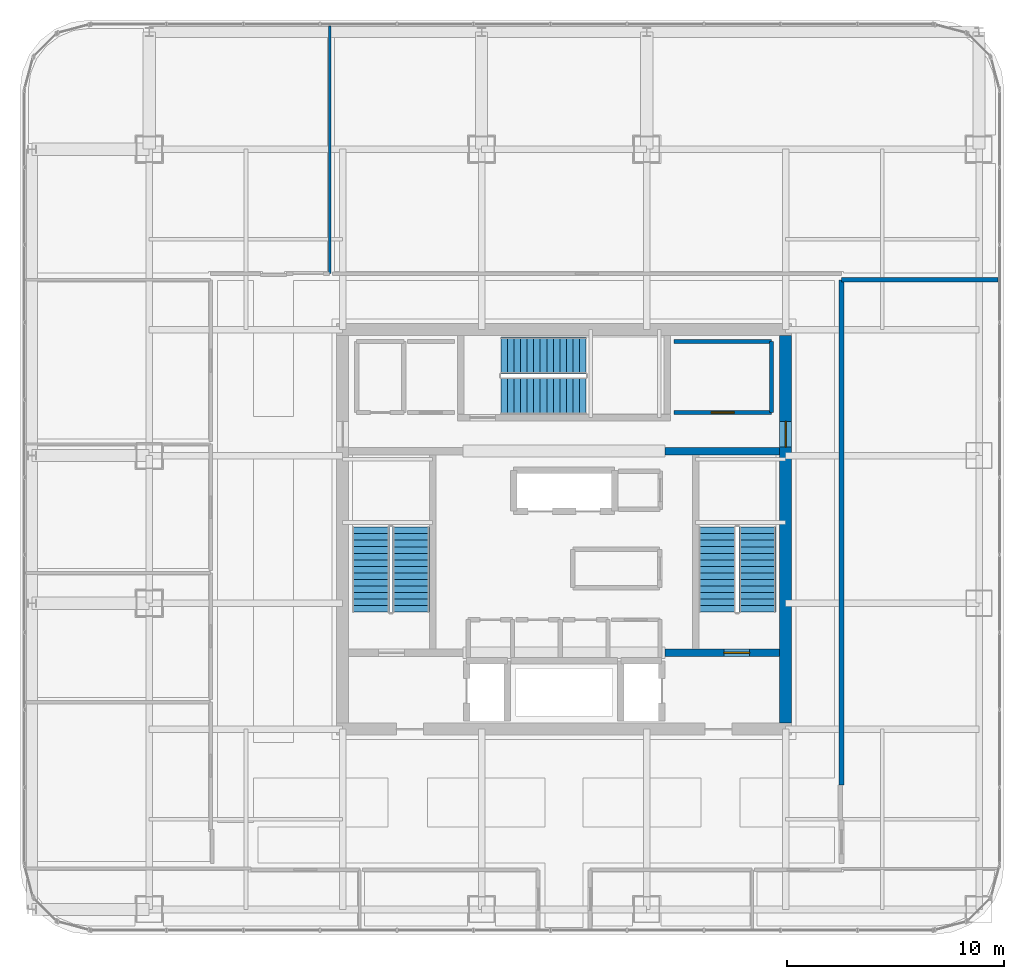
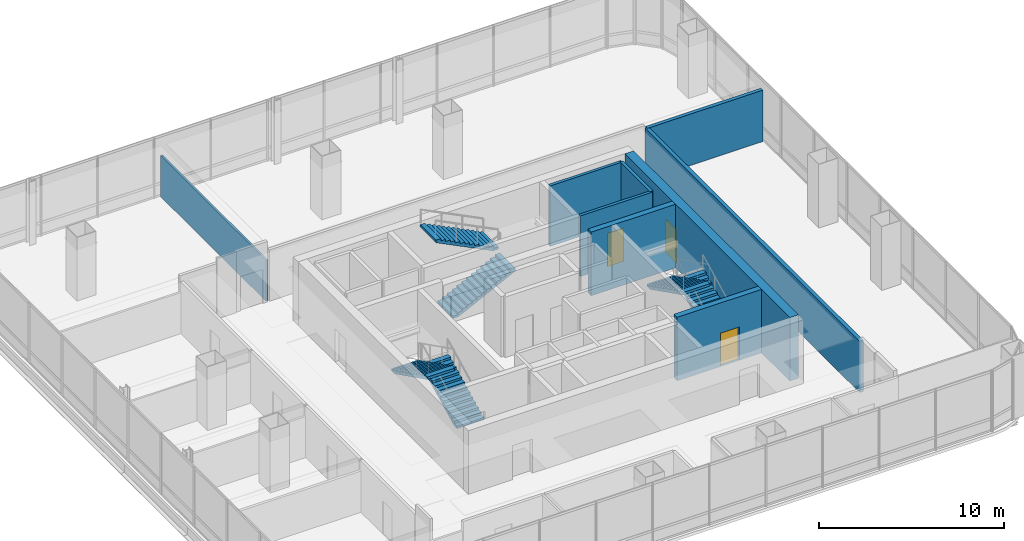
# One storey, part 36 of 42: 9 walls, 6 stair flights, 3 doors, 3 openings, 3 elements without a shape of their own.
"""IFC4 building model written with IfcOpenShell, lengths in metres."""

from ifc_helpers import new_model, si_unit, direction, frame, frame_2d, origin, place, context, subcontext, project, spatial, polyline, rectangle, outline, extrude, material, layer, layer_set, type_object, element, fill, aggregate, save


model = new_model("IFC4")

# Units and contexts
model_context = context("Model", 3, precision=1e-05, world=origin(), true_north=direction((0.0, 1.0)))
body_context = subcontext(model_context, "Body", "Model", "MODEL_VIEW")
ifc_project = project(units=[si_unit("LENGTHUNIT", "METRE"), si_unit("AREAUNIT", "SQUARE_METRE"), si_unit("VOLUMEUNIT", "CUBIC_METRE"), si_unit("PLANEANGLEUNIT", "RADIAN"), si_unit("MASSUNIT", "GRAM", prefix="KILO")], contexts=[model_context])

# Site, building, storey
site_placement = place(None, origin())
site = spatial("IfcSite", under=ifc_project, at=site_placement, CompositionType="ELEMENT")
building_placement = place(site_placement, origin())
building = spatial("IfcBuilding", under=site, at=building_placement, Name="Punatoya Terracotta Tower", CompositionType="ELEMENT")
storey_placement = place(building_placement, frame((0.0, 0.0, 296.39990234375)))
storey = spatial("IfcBuildingStorey", under=building, at=storey_placement, Name="L70", CompositionType="ELEMENT", Elevation=296.39990234375)

# Wall, opening, door
ifc_material_1 = material(Name="Concrete C50/60", Category="concrete")
ifc_layer_1 = layer(ifc_material_1, 0.550048828125)
ifc_layer_set_1 = layer_set([ifc_layer_1], Name="Concrete C50/60")
wall_type_1 = type_object("IfcWallType", Name="WL-COR-550", PredefinedType="SHEAR", material=ifc_layer_set_1)
wall_1_placement = place(storey_placement, frame((10.199951171875, 8.925048828125, 0.0), z_axis=(0.0, 0.0, 1.0), x_axis=(0.0, -1.0, 0.0)))
wall_1 = element("IfcWall", 1, at=wall_1_placement, inside=storey, type_object=wall_type_1, Name="L70 Core Shear Wall E", PredefinedType="SHEAR", context=body_context, shape_type="SweptSolid", body=[
    extrude(rectangle(XDim=17.85009765625, YDim=0.550048828125, at=frame_2d((8.925048828125, 0.0))), origin(), (0.0, 0.0, 1.0), 4.2001953125),
])
opening_1_placement = place(wall_1_placement, frame((3.955078125, 0.0, 0.0)))
opening_1 = element("IfcOpeningElement", 2, at=opening_1_placement, cuts=wall_1, Name="Opening SD-01", PredefinedType="OPENING", context=body_context, shape_type="SweptSolid", body=[
    extrude(rectangle(XDim=1.179931640625, YDim=2.199951171875, at=frame_2d((0.58984375, 1.10009765625))), frame((0.0, 0.284912109375, 0.0), z_axis=(0.0, -1.0, 0.0), x_axis=(1.0, 0.0, 0.0)), (0.0, 0.0, 1.0), 0.570068359375),
])
ifc_material_2 = material(Name="Galvanised Steel Pressurized Stair Fire Door", Category="steel")
door_type_1 = type_object("IfcDoorType", Name="DR-STR-1180", OperationType="NOTDEFINED", PredefinedType="DOOR", material=ifc_material_2)
door_1_placement = place(opening_1_placement, origin())
door_1 = element("IfcDoor", 3, at=door_1_placement, inside=storey, type_object=door_type_1, Name="L70 Central Lift Lobby East Fire Door", OperationType="SINGLE_SWING_RIGHT", OverallHeight=2.199951171875, OverallWidth=1.179931640625, PredefinedType="DOOR", context=body_context, shape_type="SweptSolid", body=[
    extrude(rectangle(XDim=1.179931640625, YDim=2.199951171875, at=frame_2d((0.58984375, 1.10009765625))), frame((0.0, 0.02490234375, 0.0), z_axis=(0.0, -1.0, 0.0), x_axis=(1.0, 0.0, 0.0)), (0.0, 0.0, 1.0), 0.050048828125),
])
fill(opening_1, door_1)

# Walls
ifc_material_3 = material(Name="Gypsum Fireboard + Steel Stud", Category="steel")
ifc_layer_2 = layer(ifc_material_3, 0.179931640625)
ifc_layer_set_2 = layer_set([ifc_layer_2], Name="Gypsum Fireboard + Steel Stud")
wall_type_2 = type_object("IfcWallType", Name="WL-CORR-180", PredefinedType="PARTITIONING", material=ifc_layer_set_2)
wall_2_placement = place(storey_placement, frame((9.550048828125, 5.3798828125, 0.0), z_axis=(0.0, 0.0, 1.0), x_axis=(0.0, 1.0, 0.0)))
element("IfcWall", 4, at=wall_2_placement, inside=storey, type_object=wall_type_2, Name="L70 East Core Wellness Room Partition 23", PredefinedType="PARTITIONING", context=body_context, shape_type="SweptSolid", body=[
    extrude(rectangle(XDim=3.27001953125, YDim=0.179931640625, at=frame_2d((1.635009765625, 0.0))), origin(), (0.0, 0.0, 1.0), 4.0),
])
wall_3_placement = place(storey_placement, frame((9.550048828125, 8.64990234375, 0.0), z_axis=(0.0, 0.0, 1.0), x_axis=(-1.0, 0.0, 0.0)))
element("IfcWall", 5, at=wall_3_placement, inside=storey, type_object=wall_type_2, Name="L70 East Core Wellness Room Partition 24", PredefinedType="PARTITIONING", context=body_context, shape_type="SweptSolid", body=[
    extrude(rectangle(XDim=4.5, YDim=0.179931640625, at=frame_2d((2.25, 0.0))), origin(), (0.0, 0.0, 1.0), 4.0),
])

# Wall, opening, door
wall_4_placement = place(storey_placement, frame((5.050048828125, 5.3798828125, 0.0), z_axis=(0.0, 0.0, 1.0), x_axis=(1.0, 0.0, 0.0)))
wall_4 = element("IfcWall", 6, at=wall_4_placement, inside=storey, type_object=wall_type_2, Name="L70 East Core Wellness Room Partition 25", PredefinedType="PARTITIONING", context=body_context, shape_type="SweptSolid", body=[
    extrude(rectangle(XDim=4.5, YDim=0.179931640625, at=frame_2d((2.25, 0.0))), origin(), (0.0, 0.0, 1.0), 4.0),
])
opening_2_placement = place(wall_4_placement, frame((1.72509765625, 0.0, 0.0)))
opening_2 = element("IfcOpeningElement", 7, at=opening_2_placement, cuts=wall_4, Name="Opening OD-01", PredefinedType="OPENING", context=body_context, shape_type="SweptSolid", body=[
    extrude(rectangle(XDim=1.050048828125, YDim=2.199951171875, at=frame_2d((0.52490234375, 1.10009765625))), frame((0.0, 0.099853515625, 0.0), z_axis=(0.0, -1.0, 0.0), x_axis=(1.0, 0.0, 0.0)), (0.0, 0.0, 1.0), 0.199951171875),
])
ifc_material_4 = material(Name="Bengal Teak Solid-Core Leaf")
door_type_2 = type_object("IfcDoorType", Name="DR-OFF-1050", OperationType="NOTDEFINED", PredefinedType="DOOR", material=ifc_material_4)
door_2_placement = place(opening_2_placement, origin())
door_2 = element("IfcDoor", 8, at=door_2_placement, inside=storey, type_object=door_type_2, Name="L70 East Wellness Room Door", OperationType="SINGLE_SWING_RIGHT", OverallHeight=2.199951171875, OverallWidth=1.050048828125, PredefinedType="DOOR", context=body_context, shape_type="SweptSolid", body=[
    extrude(rectangle(XDim=1.050048828125, YDim=2.199951171875, at=frame_2d((0.52490234375, 1.10009765625))), frame((0.0, 0.02490234375, 0.0), z_axis=(0.0, -1.0, 0.0), x_axis=(1.0, 0.0, 0.0)), (0.0, 0.0, 1.0), 0.050048828125),
])
fill(opening_2, door_2)

# Walls
ifc_material_5 = material(Name="Concrete C40/50", Category="concrete")
ifc_layer_3 = layer(ifc_material_5, 0.219970703125)
ifc_layer_set_3 = layer_set([ifc_layer_3], Name="Concrete C40/50")
wall_type_3 = type_object("IfcWallType", Name="WL-FIR-220", PredefinedType="SOLIDWALL", material=ifc_layer_set_3)
wall_5_placement = place(storey_placement, frame((12.77001953125, -11.77001953125, 0.0), z_axis=(0.0, 0.0, 1.0), x_axis=(0.0, 1.0, 0.0)))
element("IfcWall", 9, at=wall_5_placement, inside=storey, type_object=wall_type_3, Name="L70 Model-Making Archive Partition 43", PredefinedType="SOLIDWALL", context=body_context, shape_type="SweptSolid", body=[
    extrude(rectangle(XDim=23.260009765625, YDim=0.219970703125, at=frame_2d((11.6298828125, 0.0))), origin(), (0.0, 0.0, 1.0), 3.39404296875),
])
wall_6_placement = place(storey_placement, frame((12.77001953125, 11.489990234375, 0.0), z_axis=(0.0, 0.0, 1.0), x_axis=(1.0, 0.0, 0.0)))
element("IfcWall", 10, at=wall_6_placement, inside=storey, type_object=wall_type_3, Name="L70 Model-Making Archive Partition 44", PredefinedType="SOLIDWALL", context=body_context, shape_type="SweptSolid", body=[
    extrude(rectangle(XDim=7.199951171875, YDim=0.219970703125, at=frame_2d((3.60009765625, 0.0))), origin(), (0.0, 0.0, 1.0), 3.39404296875),
])
ifc_material_6 = material(Name="Gypsum Partition + Steel Stud", Category="steel")
ifc_layer_4 = layer(ifc_material_6, 0.1201171875)
ifc_layer_set_4 = layer_set([ifc_layer_4], Name="Gypsum Partition + Steel Stud")
wall_type_4 = type_object("IfcWallType", Name="WL-OFF-120", PredefinedType="PARTITIONING", material=ifc_layer_set_4)
wall_7_placement = place(storey_placement, frame((-10.7939453125, 23.169921875, 0.0), z_axis=(0.0, 0.0, 1.0), x_axis=(0.0, -1.0, 0.0)))
element("IfcWall", 11, at=wall_7_placement, inside=storey, type_object=wall_type_4, Name="L70 Visualization Review Room Partition 49", PredefinedType="PARTITIONING", context=body_context, shape_type="SweptSolid", body=[
    extrude(rectangle(XDim=11.39990234375, YDim=0.1201171875, at=frame_2d((5.699951171875, 0.0))), origin(), (0.0, 0.0, 1.0), 2.714111328125),
])

# Wall, opening, door
ifc_layer_5 = layer(ifc_material_1, 0.35009765625)
ifc_layer_set_5 = layer_set([ifc_layer_5], Name="Concrete C50/60")
wall_type_5 = type_object("IfcWallType", Name="WL-SHF-350", PredefinedType="SOLIDWALL", material=ifc_layer_set_5)
wall_8_placement = place(storey_placement, frame((4.64990234375, -5.679931640625, 0.0), z_axis=(0.0, 0.0, 1.0), x_axis=(1.0, 0.0, 0.0)))
wall_8 = element("IfcWall", 12, at=wall_8_placement, inside=storey, type_object=wall_type_5, Name="L70 Core Web Wall CSW-R", PredefinedType="SOLIDWALL", context=body_context, shape_type="SweptSolid", body=[
    extrude(rectangle(XDim=5.275146484375, YDim=0.35009765625, at=frame_2d((2.6376953125, 0.0))), origin(), (0.0, 0.0, 1.0), 4.2001953125),
])
opening_3_placement = place(wall_8_placement, frame((2.7099609375, 0.0, 0.0)))
opening_3 = element("IfcOpeningElement", 13, at=opening_3_placement, cuts=wall_8, Name="Opening SD-01", PredefinedType="OPENING", context=body_context, shape_type="SweptSolid", body=[
    extrude(rectangle(XDim=1.179931640625, YDim=2.199951171875, at=frame_2d((0.58984375, 1.10009765625))), frame((0.0, 0.18505859375, 0.0), z_axis=(0.0, -1.0, 0.0), x_axis=(1.0, 0.0, 0.0)), (0.0, 0.0, 1.0), 0.3701171875),
])
door_3_placement = place(opening_3_placement, origin())
door_3 = element("IfcDoor", 14, at=door_3_placement, inside=storey, type_object=door_type_1, Name="L70 Stair ST-2 Smokeproof Lobby Fire Door", OperationType="SINGLE_SWING_RIGHT", OverallHeight=2.199951171875, OverallWidth=1.179931640625, PredefinedType="DOOR", context=body_context, shape_type="SweptSolid", body=[
    extrude(rectangle(XDim=1.179931640625, YDim=2.199951171875, at=frame_2d((0.58984375, 1.10009765625))), frame((0.0, 0.02490234375, 0.0), z_axis=(0.0, -1.0, 0.0), x_axis=(1.0, 0.0, 0.0)), (0.0, 0.0, 1.0), 0.050048828125),
])
fill(opening_3, door_3)

# Wall
wall_9_placement = place(storey_placement, frame((4.64990234375, 3.60009765625, 0.0), z_axis=(0.0, 0.0, 1.0), x_axis=(1.0, 0.0, 0.0)))
element("IfcWall", 15, at=wall_9_placement, inside=storey, type_object=wall_type_5, Name="L70 Core Web Wall CNW-R", PredefinedType="SOLIDWALL", context=body_context, shape_type="SweptSolid", body=[
    extrude(rectangle(XDim=5.275146484375, YDim=0.35009765625, at=frame_2d((2.6376953125, 0.0))), origin(), (0.0, 0.0, 1.0), 4.2001953125),
])

# Stair, stair flights
stair_type_1 = type_object("IfcStairType", Name="STR-CORE-1550", PredefinedType="HALF_TURN_STAIR", material=ifc_material_5)
stair_1_placement = place(storey_placement, origin())
stair_1 = element("IfcStair", 16, at=stair_1_placement, inside=storey, type_object=stair_type_1, Name="L70 Protected Core Exit Stair ST-1", PredefinedType="HALF_TURN_STAIR")
stair_flight_type_1 = type_object("IfcStairFlightType", Name="SFL-CORE-1550", PredefinedType="STRAIGHT", material=ifc_material_5)
stair_flight_1_placement = place(storey_placement, frame((-7.050048828125, -3.800048828125, 0.0), z_axis=(0.0, 0.0, 1.0), x_axis=(0.0, 1.0, 0.0)))
stair_flight_1 = element("IfcStairFlight", 17, at=stair_flight_1_placement, type_object=stair_flight_type_1, Name="ST-1 flight 1", NumberOfRisers=14, NumberOfTreads=13, PredefinedType="STRAIGHT", RiserHeight=0.15, TreadLength=0.3, context=body_context, shape_type="SweptSolid", body=[
    extrude(outline(polyline([(0.0, 0.0), (0.0, 0.14990234375), (0.300048828125, 0.14990234375), (0.300048828125, 0.300048828125), (0.60009765625, 0.300048828125), (0.60009765625, 0.449951171875), (0.89990234375, 0.449951171875), (0.89990234375, 0.60009765625), (1.199951171875, 0.60009765625), (1.199951171875, 0.75), (1.5, 0.75), (1.5, 0.89990234375), (1.800048828125, 0.89990234375), (1.800048828125, 1.050048828125), (2.10009765625, 1.050048828125), (2.10009765625, 1.199951171875), (2.39990234375, 1.199951171875), (2.39990234375, 1.35009765625), (2.699951171875, 1.35009765625), (2.699951171875, 1.5), (3.0, 1.5), (3.0, 1.64990234375), (3.300048828125, 1.64990234375), (3.300048828125, 1.800048828125), (3.60009765625, 1.800048828125), (3.60009765625, 1.949951171875), (3.89990234375, 1.949951171875), (3.89990234375, 2.10009765625), (3.89990234375, 1.782470703125), (0.335205078125, 0.0), (0.0, 0.0)])), frame((0.0, 0.85009765625, 0.0), z_axis=(0.0, -1.0, 0.0), x_axis=(1.0, 0.0, 0.0)), (0.0, 0.0, 1.0), 1.699951171875),
])
stair_flight_2_placement = place(storey_placement, frame((-8.89990234375, 0.10009765625, 2.10009765625), z_axis=(0.0, 0.0, 1.0), x_axis=(0.0, -1.0, 0.0)))
stair_flight_2 = element("IfcStairFlight", 18, at=stair_flight_2_placement, type_object=stair_flight_type_1, Name="ST-1 flight 2", NumberOfRisers=14, NumberOfTreads=13, PredefinedType="STRAIGHT", RiserHeight=0.15, TreadLength=0.3, context=body_context, shape_type="SweptSolid", body=[
    extrude(outline(polyline([(0.0, 0.0), (0.0, 0.14990234375), (0.300048828125, 0.14990234375), (0.300048828125, 0.300048828125), (0.60009765625, 0.300048828125), (0.60009765625, 0.449951171875), (0.89990234375, 0.449951171875), (0.89990234375, 0.60009765625), (1.199951171875, 0.60009765625), (1.199951171875, 0.75), (1.5, 0.75), (1.5, 0.89990234375), (1.800048828125, 0.89990234375), (1.800048828125, 1.050048828125), (2.10009765625, 1.050048828125), (2.10009765625, 1.199951171875), (2.39990234375, 1.199951171875), (2.39990234375, 1.35009765625), (2.699951171875, 1.35009765625), (2.699951171875, 1.5), (3.0, 1.5), (3.0, 1.64990234375), (3.300048828125, 1.64990234375), (3.300048828125, 1.800048828125), (3.60009765625, 1.800048828125), (3.60009765625, 1.949951171875), (3.89990234375, 1.949951171875), (3.89990234375, 2.10009765625), (3.89990234375, 1.782470703125), (0.335205078125, 0.0), (0.0, 0.0)])), frame((0.0, 0.85009765625, 0.0), z_axis=(0.0, -1.0, 0.0), x_axis=(1.0, 0.0, 0.0)), (0.0, 0.0, 1.0), 1.699951171875),
])
aggregate(stair_1, [stair_flight_1, stair_flight_2])

stair_type_2 = type_object("IfcStairType", Name="STR-LOB-1650", PredefinedType="HALF_TURN_STAIR", material=ifc_material_5)
stair_2_placement = place(storey_placement, origin())
stair_2 = element("IfcStair", 19, at=stair_2_placement, inside=storey, type_object=stair_type_2, Name="L70 Protected Core Exit Stair ST-2", PredefinedType="HALF_TURN_STAIR")
stair_flight_type_2 = type_object("IfcStairFlightType", Name="SFL-LOB-1650", PredefinedType="STRAIGHT", material=ifc_material_5)
stair_flight_3_placement = place(storey_placement, frame((8.89990234375, -3.800048828125, 0.0), z_axis=(0.0, 0.0, 1.0), x_axis=(0.0, 1.0, 0.0)))
stair_flight_3 = element("IfcStairFlight", 20, at=stair_flight_3_placement, type_object=stair_flight_type_2, Name="ST-2 flight 1", NumberOfRisers=14, NumberOfTreads=13, PredefinedType="STRAIGHT", RiserHeight=0.15, TreadLength=0.3, context=body_context, shape_type="SweptSolid", body=[
    extrude(outline(polyline([(0.0, 0.0), (0.0, 0.14990234375), (0.300048828125, 0.14990234375), (0.300048828125, 0.300048828125), (0.60009765625, 0.300048828125), (0.60009765625, 0.449951171875), (0.89990234375, 0.449951171875), (0.89990234375, 0.60009765625), (1.199951171875, 0.60009765625), (1.199951171875, 0.75), (1.5, 0.75), (1.5, 0.89990234375), (1.800048828125, 0.89990234375), (1.800048828125, 1.050048828125), (2.10009765625, 1.050048828125), (2.10009765625, 1.199951171875), (2.39990234375, 1.199951171875), (2.39990234375, 1.35009765625), (2.699951171875, 1.35009765625), (2.699951171875, 1.5), (3.0, 1.5), (3.0, 1.64990234375), (3.300048828125, 1.64990234375), (3.300048828125, 1.800048828125), (3.60009765625, 1.800048828125), (3.60009765625, 1.949951171875), (3.89990234375, 1.949951171875), (3.89990234375, 2.10009765625), (3.89990234375, 1.782470703125), (0.335205078125, 0.0), (0.0, 0.0)])), frame((0.0, 0.85009765625, 0.0), z_axis=(0.0, -1.0, 0.0), x_axis=(1.0, 0.0, 0.0)), (0.0, 0.0, 1.0), 1.699951171875),
])
stair_flight_4_placement = place(storey_placement, frame((7.050048828125, 0.10009765625, 2.10009765625), z_axis=(0.0, 0.0, 1.0), x_axis=(0.0, -1.0, 0.0)))
stair_flight_4 = element("IfcStairFlight", 21, at=stair_flight_4_placement, type_object=stair_flight_type_2, Name="ST-2 flight 2", NumberOfRisers=14, NumberOfTreads=13, PredefinedType="STRAIGHT", RiserHeight=0.15, TreadLength=0.3, context=body_context, shape_type="SweptSolid", body=[
    extrude(outline(polyline([(0.0, 0.0), (0.0, 0.14990234375), (0.300048828125, 0.14990234375), (0.300048828125, 0.300048828125), (0.60009765625, 0.300048828125), (0.60009765625, 0.449951171875), (0.89990234375, 0.449951171875), (0.89990234375, 0.60009765625), (1.199951171875, 0.60009765625), (1.199951171875, 0.75), (1.5, 0.75), (1.5, 0.89990234375), (1.800048828125, 0.89990234375), (1.800048828125, 1.050048828125), (2.10009765625, 1.050048828125), (2.10009765625, 1.199951171875), (2.39990234375, 1.199951171875), (2.39990234375, 1.35009765625), (2.699951171875, 1.35009765625), (2.699951171875, 1.5), (3.0, 1.5), (3.0, 1.64990234375), (3.300048828125, 1.64990234375), (3.300048828125, 1.800048828125), (3.60009765625, 1.800048828125), (3.60009765625, 1.949951171875), (3.89990234375, 1.949951171875), (3.89990234375, 2.10009765625), (3.89990234375, 1.782470703125), (0.335205078125, 0.0), (0.0, 0.0)])), frame((0.0, 0.85009765625, 0.0), z_axis=(0.0, -1.0, 0.0), x_axis=(1.0, 0.0, 0.0)), (0.0, 0.0, 1.0), 1.699951171875),
])
aggregate(stair_2, [stair_flight_3, stair_flight_4])

stair_type_3 = type_object("IfcStairType", Name="STR-TER-1450", PredefinedType="HALF_TURN_STAIR", material=ifc_material_5)
stair_3_placement = place(storey_placement, origin())
stair_3 = element("IfcStair", 22, at=stair_3_placement, inside=storey, type_object=stair_type_3, Name="L70 Protected Core Exit Stair ST-3", PredefinedType="HALF_TURN_STAIR")
stair_flight_type_3 = type_object("IfcStairFlightType", Name="SFL-TER-1450", PredefinedType="STRAIGHT", material=ifc_material_5)
stair_flight_5_placement = place(storey_placement, frame((-2.89990234375, 6.14990234375, 0.0), z_axis=(0.0, 0.0, 1.0), x_axis=(1.0, 0.0, 0.0)))
stair_flight_5 = element("IfcStairFlight", 23, at=stair_flight_5_placement, type_object=stair_flight_type_3, Name="ST-3 flight 1", NumberOfRisers=14, NumberOfTreads=13, PredefinedType="STRAIGHT", RiserHeight=0.15, TreadLength=0.3, context=body_context, shape_type="SweptSolid", body=[
    extrude(outline(polyline([(0.0, 0.0), (0.0, 0.14990234375), (0.300048828125, 0.14990234375), (0.300048828125, 0.300048828125), (0.60009765625, 0.300048828125), (0.60009765625, 0.449951171875), (0.89990234375, 0.449951171875), (0.89990234375, 0.60009765625), (1.199951171875, 0.60009765625), (1.199951171875, 0.75), (1.5, 0.75), (1.5, 0.89990234375), (1.800048828125, 0.89990234375), (1.800048828125, 1.050048828125), (2.10009765625, 1.050048828125), (2.10009765625, 1.199951171875), (2.39990234375, 1.199951171875), (2.39990234375, 1.35009765625), (2.699951171875, 1.35009765625), (2.699951171875, 1.5), (3.0, 1.5), (3.0, 1.64990234375), (3.300048828125, 1.64990234375), (3.300048828125, 1.800048828125), (3.60009765625, 1.800048828125), (3.60009765625, 1.949951171875), (3.89990234375, 1.949951171875), (3.89990234375, 2.10009765625), (3.89990234375, 1.782470703125), (0.335205078125, 0.0), (0.0, 0.0)])), frame((0.0, 0.85009765625, 0.0), z_axis=(0.0, -1.0, 0.0), x_axis=(1.0, 0.0, 0.0)), (0.0, 0.0, 1.0), 1.699951171875),
])
stair_flight_6_placement = place(storey_placement, frame((1.0, 8.0, 2.10009765625), z_axis=(0.0, 0.0, 1.0), x_axis=(-1.0, 0.0, 0.0)))
stair_flight_6 = element("IfcStairFlight", 24, at=stair_flight_6_placement, type_object=stair_flight_type_3, Name="ST-3 flight 2", NumberOfRisers=14, NumberOfTreads=13, PredefinedType="STRAIGHT", RiserHeight=0.15, TreadLength=0.3, context=body_context, shape_type="SweptSolid", body=[
    extrude(outline(polyline([(0.0, 0.0), (0.0, 0.14990234375), (0.300048828125, 0.14990234375), (0.300048828125, 0.300048828125), (0.60009765625, 0.300048828125), (0.60009765625, 0.449951171875), (0.89990234375, 0.449951171875), (0.89990234375, 0.60009765625), (1.199951171875, 0.60009765625), (1.199951171875, 0.75), (1.5, 0.75), (1.5, 0.89990234375), (1.800048828125, 0.89990234375), (1.800048828125, 1.050048828125), (2.10009765625, 1.050048828125), (2.10009765625, 1.199951171875), (2.39990234375, 1.199951171875), (2.39990234375, 1.35009765625), (2.699951171875, 1.35009765625), (2.699951171875, 1.5), (3.0, 1.5), (3.0, 1.64990234375), (3.300048828125, 1.64990234375), (3.300048828125, 1.800048828125), (3.60009765625, 1.800048828125), (3.60009765625, 1.949951171875), (3.89990234375, 1.949951171875), (3.89990234375, 2.10009765625), (3.89990234375, 1.782470703125), (0.335205078125, 0.0), (0.0, 0.0)])), frame((0.0, 0.85009765625, 0.0), z_axis=(0.0, -1.0, 0.0), x_axis=(1.0, 0.0, 0.0)), (0.0, 0.0, 1.0), 1.699951171875),
])
aggregate(stair_3, [stair_flight_5, stair_flight_6])

save(model, "model.ifc")
